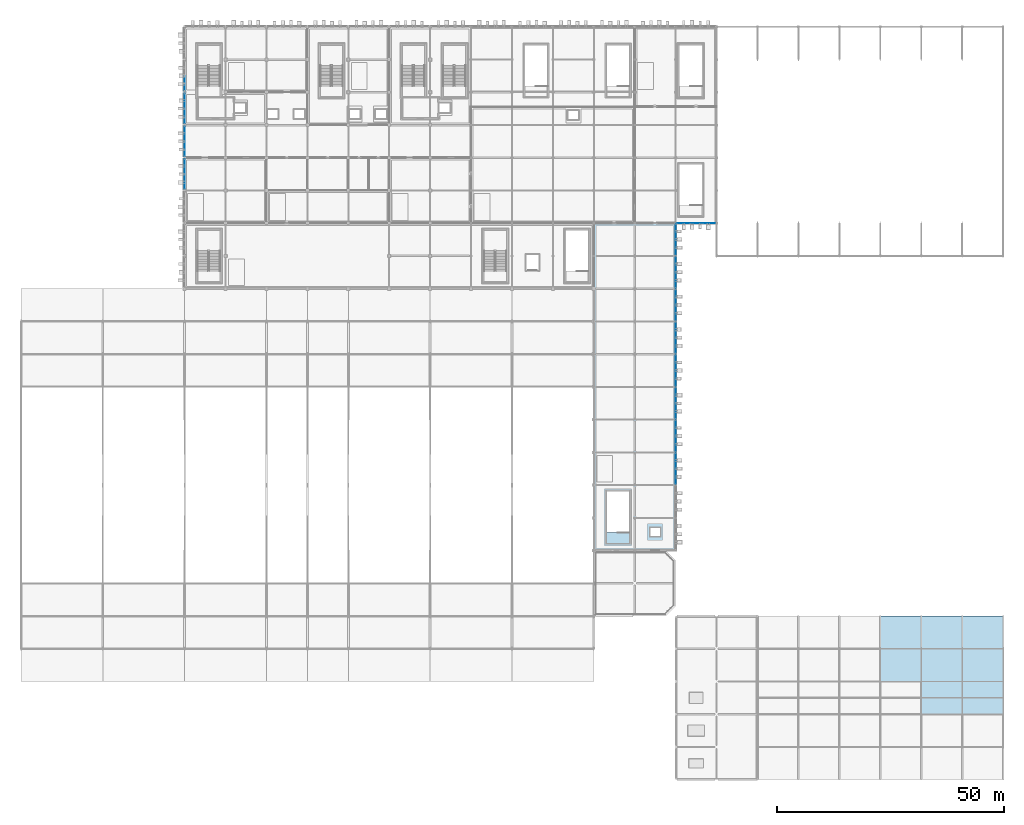
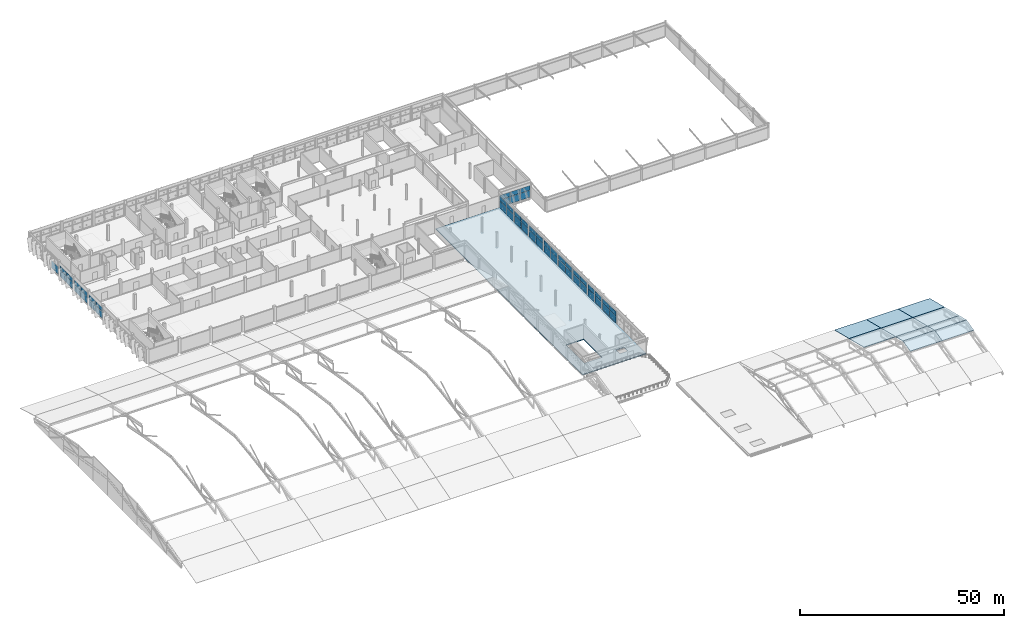
# One storey, part 77 of 124: 51 plates, 11 slabs, 13 elements without a shape of their own.
"""IFC4 building model written with IfcOpenShell, lengths in metres."""

import ifcopenshell
import ifcopenshell.guid

model = None  # the IFC model being written
_history = None  # IfcOwnerHistory: only IFC2X3 demands one
_inside = {}  # id of a spatial element -> (the spatial element, [elements in it])
_under = {}  # id of a project, library or spatial element -> (it, [spatial elements below it])
_declared = {}  # id of a project -> (the project, [libraries it declares])
_typed = {}  # id of a type object -> (the type object, [elements of that type])
_made_of = {}  # id of a material, layer set ... -> (it, [elements and type objects made of it])


def new_model(schema):
    """Start an empty IFC model of exactly this schema.

    Asked for "IFC4X3", IfcOpenShell would pick the latest addendum, in which some entities
    have other attributes; the version numbers below select the first issue.
    IFC2X3 requires an IfcOwnerHistory on every rooted entity: one is made here for all.
    """
    global model, _history
    if schema == "IFC4X3":
        model = ifcopenshell.file(schema_version=(4, 3, 0, 0))
    else:
        model = ifcopenshell.file(schema=schema)
    _inside.clear()
    _under.clear()
    _declared.clear()
    _typed.clear()
    _made_of.clear()
    _history = None
    if model.schema == "IFC2X3":
        org = make("IfcOrganization", Name="unknown")
        user = make(
            "IfcPersonAndOrganization",
            ThePerson=make("IfcPerson", FamilyName="unknown"),
            TheOrganization=org,
        )
        app = make(
            "IfcApplication",
            ApplicationDeveloper=org,
            Version="unknown",
            ApplicationFullName="unknown",
            ApplicationIdentifier="unknown",
        )
        _history = make(
            "IfcOwnerHistory",
            OwningUser=user,
            OwningApplication=app,
            ChangeAction="ADDED",
            CreationDate=0,
        )
    return model


def make(cls, **values):
    """One entity of the class cls with the attributes given. An attribute that is None is left unset."""
    return model.create_entity(
        cls, **{name: value for name, value in values.items() if value is not None}
    )


def rooted(cls, **values):
    """An entity with a GlobalId (a new one), such as an element, a storey or a relation."""
    return make(cls, GlobalId=ifcopenshell.guid.new(), OwnerHistory=_history, **values)


def si_unit(unit_type, name, prefix=None):
    """IfcSIUnit, for example si_unit("LENGTHUNIT", "METRE", prefix="MILLI")."""
    return make("IfcSIUnit", UnitType=unit_type, Prefix=prefix, Name=name)


def assignment(units):
    """IfcUnitAssignment: the units of a project."""
    return None if units is None else make("IfcUnitAssignment", Units=units)


def point(xyz):
    """IfcCartesianPoint."""
    return None if xyz is None else make("IfcCartesianPoint", Coordinates=xyz)


def direction(xyz):
    """IfcDirection."""
    return None if xyz is None else make("IfcDirection", DirectionRatios=xyz)


def frame(location, z_axis=None, x_axis=None):
    """IfcAxis2Placement3D, a coordinate frame: its origin and axes. An axis left out is left unset."""
    return make(
        "IfcAxis2Placement3D",
        Location=point(location),
        Axis=direction(z_axis),
        RefDirection=direction(x_axis),
    )


def frame_2d(location, x_axis=None):
    """IfcAxis2Placement2D, a coordinate frame in the plane: its origin and x axis."""
    return make(
        "IfcAxis2Placement2D", Location=point(location), RefDirection=direction(x_axis)
    )


def origin():
    """The frame at (0, 0, 0) with its axes left unset."""
    return frame((0.0, 0.0, 0.0))


def origin_2d():
    """The frame at (0, 0) in the plane with its x axis left unset."""
    return frame_2d((0.0, 0.0))


def place(relative_to, where):
    """IfcLocalPlacement: puts the frame where relative to a parent placement (None: the world)."""
    return make(
        "IfcLocalPlacement", PlacementRelTo=relative_to, RelativePlacement=where
    )


def context(
    kind, dimensions, precision=None, world=None, true_north=None, identifier=None
):
    """IfcGeometricRepresentationContext, for example the 3D "Model" context."""
    return make(
        "IfcGeometricRepresentationContext",
        ContextIdentifier=identifier,
        ContextType=kind,
        CoordinateSpaceDimension=dimensions,
        Precision=precision,
        WorldCoordinateSystem=world,
        TrueNorth=true_north,
    )


def subcontext(parent, identifier, kind, view, scale=None):
    """IfcGeometricRepresentationSubContext, for example "Body" below "Model"."""
    return make(
        "IfcGeometricRepresentationSubContext",
        ContextIdentifier=identifier,
        ContextType=kind,
        ParentContext=parent,
        TargetScale=scale,
        TargetView=view,
    )


def project(units=None, contexts=None):
    """IfcProject with its units and contexts."""
    return rooted(
        "IfcProject",
        Name="project",
        RepresentationContexts=contexts,
        UnitsInContext=assignment(units),
    )


def spatial(cls, under=None, at=None, **own):
    """A site, building, storey or space (cls), placed at a placement, below another one or the project."""
    s = rooted(cls, ObjectPlacement=at, **own)
    if under is not None:
        _under.setdefault(under.id(), (under, []))[1].append(s)
    return s


def polyline(points):
    """IfcPolyline through the points."""
    return make("IfcPolyline", Points=[point(p) for p in points])


def profile(cls, at=None, kind="AREA", **sizes):
    """A parametric profile (cls). Its sizes go by their IFC names, for example OverallWidth=200.0."""
    return make(cls, ProfileType=kind, Position=at, **sizes)


def rectangle(**sizes):
    """IfcRectangleProfileDef."""
    return profile("IfcRectangleProfileDef", **sizes)


def outline(outer, holes=None, kind="AREA"):
    """IfcArbitraryClosedProfileDef: a profile drawn as a closed curve; with holes, ...WithVoids."""
    if holes is None:
        return make("IfcArbitraryClosedProfileDef", ProfileType=kind, OuterCurve=outer)
    return make(
        "IfcArbitraryProfileDefWithVoids",
        ProfileType=kind,
        OuterCurve=outer,
        InnerCurves=holes,
    )


def extrude(swept, where, along, depth):
    """IfcExtrudedAreaSolid: the profile swept, set in the frame where, extruded along a direction by depth."""
    return make(
        "IfcExtrudedAreaSolid",
        SweptArea=swept,
        Position=where,
        ExtrudedDirection=direction(along),
        Depth=depth,
    )


def shape(context_of_items, identifier, shape_type, items):
    """IfcShapeRepresentation: the items that make up one representation, for example the "Body"."""
    return make(
        "IfcShapeRepresentation",
        ContextOfItems=context_of_items,
        RepresentationIdentifier=identifier,
        RepresentationType=shape_type,
        Items=items,
    )


def material(Name=None, Category=None):
    """IfcMaterial."""
    return make("IfcMaterial", Name=Name, Category=Category)


def layer(
    of_material, thickness, ventilated=None, Name=None, Category=None, Priority=None
):
    """IfcMaterialLayer: one layer of a wall or slab, of a material (None: an air gap)."""
    return make(
        "IfcMaterialLayer",
        Material=of_material,
        LayerThickness=thickness,
        IsVentilated=ventilated,
        Name=Name,
        Category=Category,
        Priority=Priority,
    )


def layer_set(layers, Name=None):
    """IfcMaterialLayerSet."""
    return make("IfcMaterialLayerSet", MaterialLayers=layers, LayerSetName=Name)


def made_of(thing, what):
    """Note that an element or type object is made of a material, layer set ...; save() writes the relation."""
    if what is not None:
        _made_of.setdefault(what.id(), (what, []))[1].append(thing)
    return thing


def type_object(cls, material=None, **own):
    """A type object (cls), such as IfcWallType, which elements share."""
    return made_of(rooted(cls, **own), material)


def element(
    cls,
    number,
    at=None,
    inside=None,
    cuts=None,
    type_object=None,
    material=None,
    context=None,
    identifier="Body",
    shape_type=None,
    held_by="IfcProductDefinitionShape",
    body=None,
    shapes=None,
    **own,
):
    """One element of the class cls, such as IfcWall. Its Tag is "e" and its number.

    at: its placement. inside: the storey or other place that contains it. cuts: it is an
    opening in that element (IfcRelVoidsElement). A single representation is given by context,
    identifier, shape_type and body (its items); several are given by shapes. held_by: the class
    of the entity that holds the representations. save() writes the other relations.
    """
    e = rooted(cls, Tag="e%d" % number, ObjectPlacement=at, **own)
    if body is not None:
        shapes = [shape(context, identifier, shape_type, body)]
    if shapes is not None:
        e.Representation = make(held_by, Representations=shapes)
    if inside is not None:
        _inside.setdefault(inside.id(), (inside, []))[1].append(e)
    if cuts is not None:
        rooted(
            "IfcRelVoidsElement", RelatingBuildingElement=cuts, RelatedOpeningElement=e
        )
    if type_object is not None:
        _typed.setdefault(type_object.id(), (type_object, []))[1].append(e)
    return made_of(e, material)


def aggregate(whole, parts):
    """IfcRelAggregates: a whole, such as a stair, and the parts it consists of."""
    return rooted("IfcRelAggregates", RelatingObject=whole, RelatedObjects=parts)


def save(model, path):
    """Write the relations noted so far, then the file.

    IfcRelAggregates (storeys below a building ...), IfcRelContainedInSpatialStructure (elements
    in a storey), IfcRelDefinesByType, IfcRelAssociatesMaterial and IfcRelDeclares: one each for
    every whole, place, type object, material and project.
    """
    for whole, parts in _under.values():
        aggregate(whole, parts)
    for where, things in _inside.values():
        rooted(
            "IfcRelContainedInSpatialStructure",
            RelatedElements=things,
            RelatingStructure=where,
        )
    for kind, things in _typed.values():
        rooted("IfcRelDefinesByType", RelatedObjects=things, RelatingType=kind)
    for what, things in _made_of.values():
        rooted("IfcRelAssociatesMaterial", RelatedObjects=things, RelatingMaterial=what)
    for by, libraries in _declared.values():
        rooted("IfcRelDeclares", RelatingContext=by, RelatedDefinitions=libraries)
    model.write(path)


model = new_model("IFC4")

# Units and contexts
model_context = context("Model", 3, precision=1e-05, world=origin(), true_north=direction((0.0, 1.0)))
body_context = subcontext(model_context, "Body", "Model", "MODEL_VIEW")
ifc_project = project(units=[si_unit("LENGTHUNIT", "METRE"), si_unit("AREAUNIT", "SQUARE_METRE"), si_unit("VOLUMEUNIT", "CUBIC_METRE"), si_unit("PLANEANGLEUNIT", "RADIAN"), si_unit("MASSUNIT", "GRAM", prefix="KILO")], contexts=[model_context])

# Site, building, storey
site_placement = place(None, origin())
site = spatial("IfcSite", under=ifc_project, at=site_placement, CompositionType="ELEMENT")
building_placement = place(site_placement, origin())
building = spatial("IfcBuilding", under=site, at=building_placement, Name="Celestram Park Convention Centre", CompositionType="ELEMENT")
storey_placement = place(building_placement, frame((0.0, 0.0, 15.300048828125)))
storey = spatial("IfcBuildingStorey", under=building, at=storey_placement, Name="L03", CompositionType="ELEMENT", Elevation=15.300048828125)

# Curtain wall, plates
ifc_material_1 = material(Name="Anodised Aluminium Alloy 6063-T6", Category="aluminium")
ifc_layer_1 = layer(ifc_material_1, 0.179931640625)
ifc_layer_set_1 = layer_set([ifc_layer_1], Name="Anodised Aluminium Alloy 6063-T6")
curtain_wall_type_1 = type_object("IfcCurtainWallType", Name="ARC-CW-660X334", PredefinedType="NOTDEFINED", material=ifc_layer_set_1)
curtain_wall_1_placement = place(storey_placement, origin())
curtain_wall_1 = element("IfcCurtainWall", 1, at=curtain_wall_1_placement, inside=storey, type_object=curtain_wall_type_1, Name="Unitised curtain wall CU-L03-198", PredefinedType="NOTDEFINED")
ifc_material_2 = material(Name="Insulated Glazing Unit 28 mm", Category="glass")
ifc_layer_2 = layer(ifc_material_2, 0.028076171875)
ifc_layer_set_2 = layer_set([ifc_layer_2], Name="Insulated Glazing Unit 28 mm")
plate_type_1 = type_object("IfcPlateType", Name="ARC-CWP-IGU28", PredefinedType="CURTAIN_PANEL", material=ifc_layer_set_2)
plate_1_placement = place(storey_placement, frame((36.0, 131.565185546875, 0.059814453125), z_axis=(0.0, 0.0, 1.0), x_axis=(0.0, 1.0, 0.0)))
plate_1 = element("IfcPlate", 2, at=plate_1_placement, type_object=plate_type_1, Name="CW-66X33 panel 1.1", PredefinedType="CURTAIN_PANEL", context=body_context, shape_type="SweptSolid", body=[
    extrude(rectangle(XDim=3.20458984375, YDim=0.028076171875, at=origin_2d()), origin(), (0.0, 0.0, 1.0), 1.912109375),
])
plate_2_placement = place(storey_placement, frame((36.0, 131.565185546875, 2.0322265625), z_axis=(0.0, 0.0, 1.0), x_axis=(0.0, 1.0, 0.0)))
plate_2 = element("IfcPlate", 3, at=plate_2_placement, type_object=plate_type_1, Name="CW-66X33 panel 1.2", PredefinedType="CURTAIN_PANEL", context=body_context, shape_type="SweptSolid", body=[
    extrude(rectangle(XDim=3.20458984375, YDim=0.028076171875, at=origin_2d()), origin(), (0.0, 0.0, 1.0), 1.243896484375),
])
plate_3_placement = place(storey_placement, frame((36.0, 134.834716796875, 0.059814453125), z_axis=(0.0, 0.0, 1.0), x_axis=(0.0, 1.0, 0.0)))
plate_3 = element("IfcPlate", 4, at=plate_3_placement, type_object=plate_type_1, Name="CW-66X33 panel 2.1", PredefinedType="CURTAIN_PANEL", context=body_context, shape_type="SweptSolid", body=[
    extrude(rectangle(XDim=3.20458984375, YDim=0.028076171875, at=origin_2d()), origin(), (0.0, 0.0, 1.0), 1.912109375),
])
plate_4_placement = place(storey_placement, frame((36.0, 134.834716796875, 2.0322265625), z_axis=(0.0, 0.0, 1.0), x_axis=(0.0, 1.0, 0.0)))
plate_4 = element("IfcPlate", 5, at=plate_4_placement, type_object=plate_type_1, Name="CW-66X33 panel 2.2", PredefinedType="CURTAIN_PANEL", context=body_context, shape_type="SweptSolid", body=[
    extrude(rectangle(XDim=3.20458984375, YDim=0.028076171875, at=origin_2d()), origin(), (0.0, 0.0, 1.0), 1.243896484375),
])
aggregate(curtain_wall_1, [plate_1, plate_2, plate_3, plate_4])

curtain_wall_2_placement = place(storey_placement, origin())
curtain_wall_2 = element("IfcCurtainWall", 6, at=curtain_wall_2_placement, inside=storey, type_object=curtain_wall_type_1, Name="Unitised curtain wall CU-L03-199", PredefinedType="NOTDEFINED")
plate_5_placement = place(storey_placement, frame((36.0, 138.76513671875, 0.059814453125), z_axis=(0.0, 0.0, 1.0), x_axis=(0.0, 1.0, 0.0)))
plate_5 = element("IfcPlate", 7, at=plate_5_placement, type_object=plate_type_1, Name="CW-66X33 panel 1.1", PredefinedType="CURTAIN_PANEL", context=body_context, shape_type="SweptSolid", body=[
    extrude(rectangle(XDim=3.20458984375, YDim=0.028076171875, at=origin_2d()), origin(), (0.0, 0.0, 1.0), 1.912109375),
])
plate_6_placement = place(storey_placement, frame((36.0, 138.76513671875, 2.0322265625), z_axis=(0.0, 0.0, 1.0), x_axis=(0.0, 1.0, 0.0)))
plate_6 = element("IfcPlate", 8, at=plate_6_placement, type_object=plate_type_1, Name="CW-66X33 panel 1.2", PredefinedType="CURTAIN_PANEL", context=body_context, shape_type="SweptSolid", body=[
    extrude(rectangle(XDim=3.20458984375, YDim=0.028076171875, at=origin_2d()), origin(), (0.0, 0.0, 1.0), 1.243896484375),
])
plate_7_placement = place(storey_placement, frame((36.0, 142.03466796875, 0.059814453125), z_axis=(0.0, 0.0, 1.0), x_axis=(0.0, 1.0, 0.0)))
plate_7 = element("IfcPlate", 9, at=plate_7_placement, type_object=plate_type_1, Name="CW-66X33 panel 2.1", PredefinedType="CURTAIN_PANEL", context=body_context, shape_type="SweptSolid", body=[
    extrude(rectangle(XDim=3.20458984375, YDim=0.028076171875, at=origin_2d()), origin(), (0.0, 0.0, 1.0), 1.912109375),
])
plate_8_placement = place(storey_placement, frame((36.0, 142.03466796875, 2.0322265625), z_axis=(0.0, 0.0, 1.0), x_axis=(0.0, 1.0, 0.0)))
plate_8 = element("IfcPlate", 10, at=plate_8_placement, type_object=plate_type_1, Name="CW-66X33 panel 2.2", PredefinedType="CURTAIN_PANEL", context=body_context, shape_type="SweptSolid", body=[
    extrude(rectangle(XDim=3.20458984375, YDim=0.028076171875, at=origin_2d()), origin(), (0.0, 0.0, 1.0), 1.243896484375),
])
aggregate(curtain_wall_2, [plate_5, plate_6, plate_7, plate_8])

curtain_wall_3_placement = place(storey_placement, origin())
curtain_wall_3 = element("IfcCurtainWall", 11, at=curtain_wall_3_placement, inside=storey, type_object=curtain_wall_type_1, Name="Unitised curtain wall CU-L03-200", PredefinedType="NOTDEFINED")
plate_9_placement = place(storey_placement, frame((36.0, 145.96533203125, 0.059814453125), z_axis=(0.0, 0.0, 1.0), x_axis=(0.0, 1.0, 0.0)))
plate_9 = element("IfcPlate", 12, at=plate_9_placement, type_object=plate_type_1, Name="CW-66X33 panel 1.1", PredefinedType="CURTAIN_PANEL", context=body_context, shape_type="SweptSolid", body=[
    extrude(rectangle(XDim=3.20458984375, YDim=0.028076171875, at=origin_2d()), origin(), (0.0, 0.0, 1.0), 1.912109375),
])
plate_10_placement = place(storey_placement, frame((36.0, 145.96533203125, 2.0322265625), z_axis=(0.0, 0.0, 1.0), x_axis=(0.0, 1.0, 0.0)))
plate_10 = element("IfcPlate", 13, at=plate_10_placement, type_object=plate_type_1, Name="CW-66X33 panel 1.2", PredefinedType="CURTAIN_PANEL", context=body_context, shape_type="SweptSolid", body=[
    extrude(rectangle(XDim=3.20458984375, YDim=0.028076171875, at=origin_2d()), origin(), (0.0, 0.0, 1.0), 1.243896484375),
])
plate_11_placement = place(storey_placement, frame((36.0, 149.23486328125, 0.059814453125), z_axis=(0.0, 0.0, 1.0), x_axis=(0.0, 1.0, 0.0)))
plate_11 = element("IfcPlate", 14, at=plate_11_placement, type_object=plate_type_1, Name="CW-66X33 panel 2.1", PredefinedType="CURTAIN_PANEL", context=body_context, shape_type="SweptSolid", body=[
    extrude(rectangle(XDim=3.20458984375, YDim=0.028076171875, at=origin_2d()), origin(), (0.0, 0.0, 1.0), 1.912109375),
])
plate_12_placement = place(storey_placement, frame((36.0, 149.23486328125, 2.0322265625), z_axis=(0.0, 0.0, 1.0), x_axis=(0.0, 1.0, 0.0)))
plate_12 = element("IfcPlate", 15, at=plate_12_placement, type_object=plate_type_1, Name="CW-66X33 panel 2.2", PredefinedType="CURTAIN_PANEL", context=body_context, shape_type="SweptSolid", body=[
    extrude(rectangle(XDim=3.20458984375, YDim=0.028076171875, at=origin_2d()), origin(), (0.0, 0.0, 1.0), 1.243896484375),
])
aggregate(curtain_wall_3, [plate_9, plate_10, plate_11, plate_12])

# Curtain wall, plate
ifc_layer_3 = layer(ifc_material_1, 0.179931640625)
ifc_layer_set_3 = layer_set([ifc_layer_3], Name="Anodised Aluminium Alloy 6063-T6")
curtain_wall_type_2 = type_object("IfcCurtainWallType", Name="ARC-CW-660X400", PredefinedType="NOTDEFINED", material=ifc_layer_set_3)
curtain_wall_4_placement = place(storey_placement, origin())
curtain_wall_4 = element("IfcCurtainWall", 16, at=curtain_wall_4_placement, inside=storey, type_object=curtain_wall_type_2, Name="Unitised curtain wall CU-L03-201", PredefinedType="NOTDEFINED")
plate_13_placement = place(storey_placement, frame((36.0, 153.165283203125, 0.059814453125), z_axis=(0.0, 0.0, 1.0), x_axis=(0.0, 1.0, 0.0)))
plate_13 = element("IfcPlate", 17, at=plate_13_placement, type_object=plate_type_1, Name="CW-66X40 panel 1.1", PredefinedType="CURTAIN_PANEL", context=body_context, shape_type="SweptSolid", body=[
    extrude(rectangle(XDim=3.20458984375, YDim=0.028076171875, at=origin_2d()), origin(), (0.0, 0.0, 1.0), 2.31005859375),
])
aggregate(curtain_wall_4, [plate_13])

# Curtain wall, plates
ifc_layer_4 = layer(ifc_material_1, 0.179931640625)
ifc_layer_set_4 = layer_set([ifc_layer_4], Name="Anodised Aluminium Alloy 6063-T6")
curtain_wall_type_3 = type_object("IfcCurtainWallType", Name="ARC-CW-685X365", PredefinedType="NOTDEFINED", material=ifc_layer_set_4)
curtain_wall_5_placement = place(storey_placement, origin())
curtain_wall_5 = element("IfcCurtainWall", 18, at=curtain_wall_5_placement, inside=storey, type_object=curtain_wall_type_3, Name="Unitised curtain wall CU-L03-217", PredefinedType="NOTDEFINED")
plate_14_placement = place(storey_placement, frame((144.0, 120.497314453125, 0.059814453125), z_axis=(0.0, 0.0, 1.0), x_axis=(0.0, -1.0, 0.0)))
plate_14 = element("IfcPlate", 19, at=plate_14_placement, type_object=plate_type_1, Name="CW-68X36 panel 1.1", PredefinedType="CURTAIN_PANEL", context=body_context, shape_type="SweptSolid", body=[
    extrude(rectangle(XDim=3.32958984375, YDim=0.028076171875, at=origin_2d()), origin(), (0.0, 0.0, 1.0), 2.09912109375),
])
plate_15_placement = place(storey_placement, frame((144.0, 120.497314453125, 2.21923828125), z_axis=(0.0, 0.0, 1.0), x_axis=(0.0, -1.0, 0.0)))
plate_15 = element("IfcPlate", 20, at=plate_15_placement, type_object=plate_type_1, Name="CW-68X36 panel 1.2", PredefinedType="CURTAIN_PANEL", context=body_context, shape_type="SweptSolid", body=[
    extrude(rectangle(XDim=3.32958984375, YDim=0.028076171875, at=origin_2d()), origin(), (0.0, 0.0, 1.0), 1.368896484375),
])
plate_16_placement = place(storey_placement, frame((144.0, 117.102783203125, 0.059814453125), z_axis=(0.0, 0.0, 1.0), x_axis=(0.0, -1.0, 0.0)))
plate_16 = element("IfcPlate", 21, at=plate_16_placement, type_object=plate_type_1, Name="CW-68X36 panel 2.1", PredefinedType="CURTAIN_PANEL", context=body_context, shape_type="SweptSolid", body=[
    extrude(rectangle(XDim=3.32958984375, YDim=0.028076171875, at=origin_2d()), origin(), (0.0, 0.0, 1.0), 2.09912109375),
])
plate_17_placement = place(storey_placement, frame((144.0, 117.102783203125, 2.21923828125), z_axis=(0.0, 0.0, 1.0), x_axis=(0.0, -1.0, 0.0)))
plate_17 = element("IfcPlate", 22, at=plate_17_placement, type_object=plate_type_1, Name="CW-68X36 panel 2.2", PredefinedType="CURTAIN_PANEL", context=body_context, shape_type="SweptSolid", body=[
    extrude(rectangle(XDim=3.32958984375, YDim=0.028076171875, at=origin_2d()), origin(), (0.0, 0.0, 1.0), 1.368896484375),
])
aggregate(curtain_wall_5, [plate_14, plate_15, plate_16, plate_17])

curtain_wall_6_placement = place(storey_placement, origin())
curtain_wall_6 = element("IfcCurtainWall", 23, at=curtain_wall_6_placement, inside=storey, type_object=curtain_wall_type_3, Name="Unitised curtain wall CU-L03-218", PredefinedType="NOTDEFINED")
plate_18_placement = place(storey_placement, frame((144.0, 113.29736328125, 0.059814453125), z_axis=(0.0, 0.0, 1.0), x_axis=(0.0, -1.0, 0.0)))
plate_18 = element("IfcPlate", 24, at=plate_18_placement, type_object=plate_type_1, Name="CW-68X36 panel 1.1", PredefinedType="CURTAIN_PANEL", context=body_context, shape_type="SweptSolid", body=[
    extrude(rectangle(XDim=3.32958984375, YDim=0.028076171875, at=origin_2d()), origin(), (0.0, 0.0, 1.0), 2.09912109375),
])
plate_19_placement = place(storey_placement, frame((144.0, 113.29736328125, 2.21923828125), z_axis=(0.0, 0.0, 1.0), x_axis=(0.0, -1.0, 0.0)))
plate_19 = element("IfcPlate", 25, at=plate_19_placement, type_object=plate_type_1, Name="CW-68X36 panel 1.2", PredefinedType="CURTAIN_PANEL", context=body_context, shape_type="SweptSolid", body=[
    extrude(rectangle(XDim=3.32958984375, YDim=0.028076171875, at=origin_2d()), origin(), (0.0, 0.0, 1.0), 1.368896484375),
])
plate_20_placement = place(storey_placement, frame((144.0, 109.90283203125, 0.059814453125), z_axis=(0.0, 0.0, 1.0), x_axis=(0.0, -1.0, 0.0)))
plate_20 = element("IfcPlate", 26, at=plate_20_placement, type_object=plate_type_1, Name="CW-68X36 panel 2.1", PredefinedType="CURTAIN_PANEL", context=body_context, shape_type="SweptSolid", body=[
    extrude(rectangle(XDim=3.32958984375, YDim=0.028076171875, at=origin_2d()), origin(), (0.0, 0.0, 1.0), 2.09912109375),
])
plate_21_placement = place(storey_placement, frame((144.0, 109.90283203125, 2.21923828125), z_axis=(0.0, 0.0, 1.0), x_axis=(0.0, -1.0, 0.0)))
plate_21 = element("IfcPlate", 27, at=plate_21_placement, type_object=plate_type_1, Name="CW-68X36 panel 2.2", PredefinedType="CURTAIN_PANEL", context=body_context, shape_type="SweptSolid", body=[
    extrude(rectangle(XDim=3.32958984375, YDim=0.028076171875, at=origin_2d()), origin(), (0.0, 0.0, 1.0), 1.368896484375),
])
aggregate(curtain_wall_6, [plate_18, plate_19, plate_20, plate_21])

curtain_wall_7_placement = place(storey_placement, origin())
curtain_wall_7 = element("IfcCurtainWall", 28, at=curtain_wall_7_placement, inside=storey, type_object=curtain_wall_type_3, Name="Unitised curtain wall CU-L03-219", PredefinedType="NOTDEFINED")
plate_22_placement = place(storey_placement, frame((144.0, 106.09716796875, 0.059814453125), z_axis=(0.0, 0.0, 1.0), x_axis=(0.0, -1.0, 0.0)))
plate_22 = element("IfcPlate", 29, at=plate_22_placement, type_object=plate_type_1, Name="CW-68X36 panel 1.1", PredefinedType="CURTAIN_PANEL", context=body_context, shape_type="SweptSolid", body=[
    extrude(rectangle(XDim=3.32958984375, YDim=0.028076171875, at=origin_2d()), origin(), (0.0, 0.0, 1.0), 2.09912109375),
])
plate_23_placement = place(storey_placement, frame((144.0, 106.09716796875, 2.21923828125), z_axis=(0.0, 0.0, 1.0), x_axis=(0.0, -1.0, 0.0)))
plate_23 = element("IfcPlate", 30, at=plate_23_placement, type_object=plate_type_1, Name="CW-68X36 panel 1.2", PredefinedType="CURTAIN_PANEL", context=body_context, shape_type="SweptSolid", body=[
    extrude(rectangle(XDim=3.32958984375, YDim=0.028076171875, at=origin_2d()), origin(), (0.0, 0.0, 1.0), 1.368896484375),
])
plate_24_placement = place(storey_placement, frame((144.0, 102.70263671875, 0.059814453125), z_axis=(0.0, 0.0, 1.0), x_axis=(0.0, -1.0, 0.0)))
plate_24 = element("IfcPlate", 31, at=plate_24_placement, type_object=plate_type_1, Name="CW-68X36 panel 2.1", PredefinedType="CURTAIN_PANEL", context=body_context, shape_type="SweptSolid", body=[
    extrude(rectangle(XDim=3.32958984375, YDim=0.028076171875, at=origin_2d()), origin(), (0.0, 0.0, 1.0), 2.09912109375),
])
plate_25_placement = place(storey_placement, frame((144.0, 102.70263671875, 2.21923828125), z_axis=(0.0, 0.0, 1.0), x_axis=(0.0, -1.0, 0.0)))
plate_25 = element("IfcPlate", 32, at=plate_25_placement, type_object=plate_type_1, Name="CW-68X36 panel 2.2", PredefinedType="CURTAIN_PANEL", context=body_context, shape_type="SweptSolid", body=[
    extrude(rectangle(XDim=3.32958984375, YDim=0.028076171875, at=origin_2d()), origin(), (0.0, 0.0, 1.0), 1.368896484375),
])
aggregate(curtain_wall_7, [plate_22, plate_23, plate_24, plate_25])

curtain_wall_8_placement = place(storey_placement, origin())
curtain_wall_8 = element("IfcCurtainWall", 33, at=curtain_wall_8_placement, inside=storey, type_object=curtain_wall_type_3, Name="Unitised curtain wall CU-L03-220", PredefinedType="NOTDEFINED")
plate_26_placement = place(storey_placement, frame((144.0, 98.897216796875, 0.059814453125), z_axis=(0.0, 0.0, 1.0), x_axis=(0.0, -1.0, 0.0)))
plate_26 = element("IfcPlate", 34, at=plate_26_placement, type_object=plate_type_1, Name="CW-68X36 panel 1.1", PredefinedType="CURTAIN_PANEL", context=body_context, shape_type="SweptSolid", body=[
    extrude(rectangle(XDim=3.32958984375, YDim=0.028076171875, at=origin_2d()), origin(), (0.0, 0.0, 1.0), 2.09912109375),
])
plate_27_placement = place(storey_placement, frame((144.0, 98.897216796875, 2.21923828125), z_axis=(0.0, 0.0, 1.0), x_axis=(0.0, -1.0, 0.0)))
plate_27 = element("IfcPlate", 35, at=plate_27_placement, type_object=plate_type_1, Name="CW-68X36 panel 1.2", PredefinedType="CURTAIN_PANEL", context=body_context, shape_type="SweptSolid", body=[
    extrude(rectangle(XDim=3.32958984375, YDim=0.028076171875, at=origin_2d()), origin(), (0.0, 0.0, 1.0), 1.368896484375),
])
plate_28_placement = place(storey_placement, frame((144.0, 95.502685546875, 0.059814453125), z_axis=(0.0, 0.0, 1.0), x_axis=(0.0, -1.0, 0.0)))
plate_28 = element("IfcPlate", 36, at=plate_28_placement, type_object=plate_type_1, Name="CW-68X36 panel 2.1", PredefinedType="CURTAIN_PANEL", context=body_context, shape_type="SweptSolid", body=[
    extrude(rectangle(XDim=3.32958984375, YDim=0.028076171875, at=origin_2d()), origin(), (0.0, 0.0, 1.0), 2.09912109375),
])
plate_29_placement = place(storey_placement, frame((144.0, 95.502685546875, 2.21923828125), z_axis=(0.0, 0.0, 1.0), x_axis=(0.0, -1.0, 0.0)))
plate_29 = element("IfcPlate", 37, at=plate_29_placement, type_object=plate_type_1, Name="CW-68X36 panel 2.2", PredefinedType="CURTAIN_PANEL", context=body_context, shape_type="SweptSolid", body=[
    extrude(rectangle(XDim=3.32958984375, YDim=0.028076171875, at=origin_2d()), origin(), (0.0, 0.0, 1.0), 1.368896484375),
])
aggregate(curtain_wall_8, [plate_26, plate_27, plate_28, plate_29])

curtain_wall_9_placement = place(storey_placement, origin())
curtain_wall_9 = element("IfcCurtainWall", 38, at=curtain_wall_9_placement, inside=storey, type_object=curtain_wall_type_3, Name="Unitised curtain wall CU-L03-221", PredefinedType="NOTDEFINED")
plate_30_placement = place(storey_placement, frame((144.0, 91.697265625, 0.059814453125), z_axis=(0.0, 0.0, 1.0), x_axis=(0.0, -1.0, 0.0)))
plate_30 = element("IfcPlate", 39, at=plate_30_placement, type_object=plate_type_1, Name="CW-68X36 panel 1.1", PredefinedType="CURTAIN_PANEL", context=body_context, shape_type="SweptSolid", body=[
    extrude(rectangle(XDim=3.32958984375, YDim=0.028076171875, at=origin_2d()), origin(), (0.0, 0.0, 1.0), 2.09912109375),
])
plate_31_placement = place(storey_placement, frame((144.0, 91.697265625, 2.21923828125), z_axis=(0.0, 0.0, 1.0), x_axis=(0.0, -1.0, 0.0)))
plate_31 = element("IfcPlate", 40, at=plate_31_placement, type_object=plate_type_1, Name="CW-68X36 panel 1.2", PredefinedType="CURTAIN_PANEL", context=body_context, shape_type="SweptSolid", body=[
    extrude(rectangle(XDim=3.32958984375, YDim=0.028076171875, at=origin_2d()), origin(), (0.0, 0.0, 1.0), 1.368896484375),
])
plate_32_placement = place(storey_placement, frame((144.0, 88.302734375, 0.059814453125), z_axis=(0.0, 0.0, 1.0), x_axis=(0.0, -1.0, 0.0)))
plate_32 = element("IfcPlate", 41, at=plate_32_placement, type_object=plate_type_1, Name="CW-68X36 panel 2.1", PredefinedType="CURTAIN_PANEL", context=body_context, shape_type="SweptSolid", body=[
    extrude(rectangle(XDim=3.32958984375, YDim=0.028076171875, at=origin_2d()), origin(), (0.0, 0.0, 1.0), 2.09912109375),
])
plate_33_placement = place(storey_placement, frame((144.0, 88.302734375, 2.21923828125), z_axis=(0.0, 0.0, 1.0), x_axis=(0.0, -1.0, 0.0)))
plate_33 = element("IfcPlate", 42, at=plate_33_placement, type_object=plate_type_1, Name="CW-68X36 panel 2.2", PredefinedType="CURTAIN_PANEL", context=body_context, shape_type="SweptSolid", body=[
    extrude(rectangle(XDim=3.32958984375, YDim=0.028076171875, at=origin_2d()), origin(), (0.0, 0.0, 1.0), 1.368896484375),
])
aggregate(curtain_wall_9, [plate_30, plate_31, plate_32, plate_33])

curtain_wall_10_placement = place(storey_placement, origin())
curtain_wall_10 = element("IfcCurtainWall", 43, at=curtain_wall_10_placement, inside=storey, type_object=curtain_wall_type_3, Name="Unitised curtain wall CU-L03-222", PredefinedType="NOTDEFINED")
plate_34_placement = place(storey_placement, frame((144.0, 84.497314453125, 0.059814453125), z_axis=(0.0, 0.0, 1.0), x_axis=(0.0, -1.0, 0.0)))
plate_34 = element("IfcPlate", 44, at=plate_34_placement, type_object=plate_type_1, Name="CW-68X36 panel 1.1", PredefinedType="CURTAIN_PANEL", context=body_context, shape_type="SweptSolid", body=[
    extrude(rectangle(XDim=3.32958984375, YDim=0.028076171875, at=origin_2d()), origin(), (0.0, 0.0, 1.0), 2.09912109375),
])
plate_35_placement = place(storey_placement, frame((144.0, 84.497314453125, 2.21923828125), z_axis=(0.0, 0.0, 1.0), x_axis=(0.0, -1.0, 0.0)))
plate_35 = element("IfcPlate", 45, at=plate_35_placement, type_object=plate_type_1, Name="CW-68X36 panel 1.2", PredefinedType="CURTAIN_PANEL", context=body_context, shape_type="SweptSolid", body=[
    extrude(rectangle(XDim=3.32958984375, YDim=0.028076171875, at=origin_2d()), origin(), (0.0, 0.0, 1.0), 1.368896484375),
])
plate_36_placement = place(storey_placement, frame((144.0, 81.102783203125, 0.059814453125), z_axis=(0.0, 0.0, 1.0), x_axis=(0.0, -1.0, 0.0)))
plate_36 = element("IfcPlate", 46, at=plate_36_placement, type_object=plate_type_1, Name="CW-68X36 panel 2.1", PredefinedType="CURTAIN_PANEL", context=body_context, shape_type="SweptSolid", body=[
    extrude(rectangle(XDim=3.32958984375, YDim=0.028076171875, at=origin_2d()), origin(), (0.0, 0.0, 1.0), 2.09912109375),
])
plate_37_placement = place(storey_placement, frame((144.0, 81.102783203125, 2.21923828125), z_axis=(0.0, 0.0, 1.0), x_axis=(0.0, -1.0, 0.0)))
plate_37 = element("IfcPlate", 47, at=plate_37_placement, type_object=plate_type_1, Name="CW-68X36 panel 2.2", PredefinedType="CURTAIN_PANEL", context=body_context, shape_type="SweptSolid", body=[
    extrude(rectangle(XDim=3.32958984375, YDim=0.028076171875, at=origin_2d()), origin(), (0.0, 0.0, 1.0), 1.368896484375),
])
aggregate(curtain_wall_10, [plate_34, plate_35, plate_36, plate_37])

curtain_wall_11_placement = place(storey_placement, origin())
curtain_wall_11 = element("IfcCurtainWall", 48, at=curtain_wall_11_placement, inside=storey, type_object=curtain_wall_type_3, Name="Unitised curtain wall CU-L03-223", PredefinedType="NOTDEFINED")
plate_38_placement = place(storey_placement, frame((144.0, 77.29736328125, 0.059814453125), z_axis=(0.0, 0.0, 1.0), x_axis=(0.0, -1.0, 0.0)))
plate_38 = element("IfcPlate", 49, at=plate_38_placement, type_object=plate_type_1, Name="CW-68X36 panel 1.1", PredefinedType="CURTAIN_PANEL", context=body_context, shape_type="SweptSolid", body=[
    extrude(rectangle(XDim=3.32958984375, YDim=0.028076171875, at=origin_2d()), origin(), (0.0, 0.0, 1.0), 2.09912109375),
])
plate_39_placement = place(storey_placement, frame((144.0, 77.29736328125, 2.21923828125), z_axis=(0.0, 0.0, 1.0), x_axis=(0.0, -1.0, 0.0)))
plate_39 = element("IfcPlate", 50, at=plate_39_placement, type_object=plate_type_1, Name="CW-68X36 panel 1.2", PredefinedType="CURTAIN_PANEL", context=body_context, shape_type="SweptSolid", body=[
    extrude(rectangle(XDim=3.32958984375, YDim=0.028076171875, at=origin_2d()), origin(), (0.0, 0.0, 1.0), 1.368896484375),
])
plate_40_placement = place(storey_placement, frame((144.0, 73.90283203125, 0.059814453125), z_axis=(0.0, 0.0, 1.0), x_axis=(0.0, -1.0, 0.0)))
plate_40 = element("IfcPlate", 51, at=plate_40_placement, type_object=plate_type_1, Name="CW-68X36 panel 2.1", PredefinedType="CURTAIN_PANEL", context=body_context, shape_type="SweptSolid", body=[
    extrude(rectangle(XDim=3.32958984375, YDim=0.028076171875, at=origin_2d()), origin(), (0.0, 0.0, 1.0), 2.09912109375),
])
plate_41_placement = place(storey_placement, frame((144.0, 73.90283203125, 2.21923828125), z_axis=(0.0, 0.0, 1.0), x_axis=(0.0, -1.0, 0.0)))
plate_41 = element("IfcPlate", 52, at=plate_41_placement, type_object=plate_type_1, Name="CW-68X36 panel 2.2", PredefinedType="CURTAIN_PANEL", context=body_context, shape_type="SweptSolid", body=[
    extrude(rectangle(XDim=3.32958984375, YDim=0.028076171875, at=origin_2d()), origin(), (0.0, 0.0, 1.0), 1.368896484375),
])
aggregate(curtain_wall_11, [plate_38, plate_39, plate_40, plate_41])

curtain_wall_12_placement = place(storey_placement, origin())
curtain_wall_12 = element("IfcCurtainWall", 53, at=curtain_wall_12_placement, inside=storey, type_object=curtain_wall_type_3, Name="Unitised curtain wall CU-L03-224", PredefinedType="NOTDEFINED")
plate_42_placement = place(storey_placement, frame((144.0, 70.09716796875, 0.059814453125), z_axis=(0.0, 0.0, 1.0), x_axis=(0.0, -1.0, 0.0)))
plate_42 = element("IfcPlate", 54, at=plate_42_placement, type_object=plate_type_1, Name="CW-68X36 panel 1.1", PredefinedType="CURTAIN_PANEL", context=body_context, shape_type="SweptSolid", body=[
    extrude(rectangle(XDim=3.32958984375, YDim=0.028076171875, at=origin_2d()), origin(), (0.0, 0.0, 1.0), 2.09912109375),
])
plate_43_placement = place(storey_placement, frame((144.0, 70.09716796875, 2.21923828125), z_axis=(0.0, 0.0, 1.0), x_axis=(0.0, -1.0, 0.0)))
plate_43 = element("IfcPlate", 55, at=plate_43_placement, type_object=plate_type_1, Name="CW-68X36 panel 1.2", PredefinedType="CURTAIN_PANEL", context=body_context, shape_type="SweptSolid", body=[
    extrude(rectangle(XDim=3.32958984375, YDim=0.028076171875, at=origin_2d()), origin(), (0.0, 0.0, 1.0), 1.368896484375),
])
plate_44_placement = place(storey_placement, frame((144.0, 66.70263671875, 0.059814453125), z_axis=(0.0, 0.0, 1.0), x_axis=(0.0, -1.0, 0.0)))
plate_44 = element("IfcPlate", 56, at=plate_44_placement, type_object=plate_type_1, Name="CW-68X36 panel 2.1", PredefinedType="CURTAIN_PANEL", context=body_context, shape_type="SweptSolid", body=[
    extrude(rectangle(XDim=3.32958984375, YDim=0.028076171875, at=origin_2d()), origin(), (0.0, 0.0, 1.0), 2.09912109375),
])
plate_45_placement = place(storey_placement, frame((144.0, 66.70263671875, 2.21923828125), z_axis=(0.0, 0.0, 1.0), x_axis=(0.0, -1.0, 0.0)))
plate_45 = element("IfcPlate", 57, at=plate_45_placement, type_object=plate_type_1, Name="CW-68X36 panel 2.2", PredefinedType="CURTAIN_PANEL", context=body_context, shape_type="SweptSolid", body=[
    extrude(rectangle(XDim=3.32958984375, YDim=0.028076171875, at=origin_2d()), origin(), (0.0, 0.0, 1.0), 1.368896484375),
])
aggregate(curtain_wall_12, [plate_42, plate_43, plate_44, plate_45])

ifc_layer_5 = layer(ifc_material_1, 0.179931640625)
ifc_layer_set_5 = layer_set([ifc_layer_5], Name="Anodised Aluminium Alloy 6063-T6")
curtain_wall_type_4 = type_object("IfcCurtainWallType", Name="ARC-CW-863X365", PredefinedType="NOTDEFINED", material=ifc_layer_set_5)
curtain_wall_13_placement = place(storey_placement, origin())
curtain_wall_13 = element("IfcCurtainWall", 58, at=curtain_wall_13_placement, inside=storey, type_object=curtain_wall_type_4, Name="Unitised curtain wall CU-L03-216", PredefinedType="NOTDEFINED")
ifc_material_3 = material(Name="Insulated Glazing Unit 38 mm", Category="glass")
ifc_layer_6 = layer(ifc_material_3, 0.0380859375)
ifc_layer_set_6 = layer_set([ifc_layer_6], Name="Insulated Glazing Unit 38 mm")
plate_type_2 = type_object("IfcPlateType", Name="ARC-CWP-IGU38", PredefinedType="CURTAIN_PANEL", material=ifc_layer_set_6)
plate_46_placement = place(storey_placement, frame((151.344970703125, 122.39990234375, 0.06494140625), z_axis=(0.0, 0.0, 1.0), x_axis=(-1.0, 0.0, 0.0)))
plate_46 = element("IfcPlate", 59, at=plate_46_placement, type_object=plate_type_2, Name="CW-86X36 panel 1.1", PredefinedType="CURTAIN_PANEL", context=body_context, shape_type="SweptSolid", body=[
    extrude(rectangle(XDim=2.763916015625, YDim=0.0380859375, at=origin_2d()), origin(), (0.0, 0.0, 1.0), 2.091552734375),
])
plate_47_placement = place(storey_placement, frame((151.344970703125, 122.39990234375, 2.22119140625), z_axis=(0.0, 0.0, 1.0), x_axis=(-1.0, 0.0, 0.0)))
plate_47 = element("IfcPlate", 60, at=plate_47_placement, type_object=plate_type_2, Name="CW-86X36 panel 1.2", PredefinedType="CURTAIN_PANEL", context=body_context, shape_type="SweptSolid", body=[
    extrude(rectangle(XDim=2.763916015625, YDim=0.0380859375, at=origin_2d()), origin(), (0.0, 0.0, 1.0), 1.361572265625),
])
plate_48_placement = place(storey_placement, frame((148.487548828125, 122.39990234375, 0.06494140625), z_axis=(0.0, 0.0, 1.0), x_axis=(-1.0, 0.0, 0.0)))
plate_48 = element("IfcPlate", 61, at=plate_48_placement, type_object=plate_type_2, Name="CW-86X36 panel 2.1", PredefinedType="CURTAIN_PANEL", context=body_context, shape_type="SweptSolid", body=[
    extrude(rectangle(XDim=2.80126953125, YDim=0.0380859375, at=origin_2d()), origin(), (0.0, 0.0, 1.0), 2.091552734375),
])
plate_49_placement = place(storey_placement, frame((148.487548828125, 122.39990234375, 2.22119140625), z_axis=(0.0, 0.0, 1.0), x_axis=(-1.0, 0.0, 0.0)))
plate_49 = element("IfcPlate", 62, at=plate_49_placement, type_object=plate_type_2, Name="CW-86X36 panel 2.2", PredefinedType="CURTAIN_PANEL", context=body_context, shape_type="SweptSolid", body=[
    extrude(rectangle(XDim=2.80126953125, YDim=0.0380859375, at=origin_2d()), origin(), (0.0, 0.0, 1.0), 1.361572265625),
])
plate_50_placement = place(storey_placement, frame((145.6298828125, 122.39990234375, 0.06494140625), z_axis=(0.0, 0.0, 1.0), x_axis=(-1.0, 0.0, 0.0)))
plate_50 = element("IfcPlate", 63, at=plate_50_placement, type_object=plate_type_2, Name="CW-86X36 panel 3.1", PredefinedType="CURTAIN_PANEL", context=body_context, shape_type="SweptSolid", body=[
    extrude(rectangle(XDim=2.763916015625, YDim=0.0380859375, at=origin_2d()), origin(), (0.0, 0.0, 1.0), 2.091552734375),
])
plate_51_placement = place(storey_placement, frame((145.6298828125, 122.39990234375, 2.22119140625), z_axis=(0.0, 0.0, 1.0), x_axis=(-1.0, 0.0, 0.0)))
plate_51 = element("IfcPlate", 64, at=plate_51_placement, type_object=plate_type_2, Name="CW-86X36 panel 3.2", PredefinedType="CURTAIN_PANEL", context=body_context, shape_type="SweptSolid", body=[
    extrude(rectangle(XDim=2.763916015625, YDim=0.0380859375, at=origin_2d()), origin(), (0.0, 0.0, 1.0), 1.361572265625),
])
aggregate(curtain_wall_13, [plate_46, plate_47, plate_48, plate_49, plate_50, plate_51])

# Slabs
ifc_material_4 = material(Name="Concrete C35/45", Category="concrete")
ifc_layer_7 = layer(ifc_material_4, 0.159912109375)
ifc_layer_set_7 = layer_set([ifc_layer_7], Name="Concrete C35/45")
slab_type_1 = type_object("IfcSlabType", Name="STR-SLB-ARCH160", PredefinedType="ROOF", material=ifc_layer_set_7)
slab_1_placement = place(storey_placement, frame((189.0, 21.60009765625, 3.599853515625), z_axis=(0.0, 0.242512403965, 0.970148305118), x_axis=(1.0, 0.0, 0.0)))
element("IfcSlab", 65, at=slab_1_placement, inside=storey, type_object=slab_type_1, Name="V3 arched roof deck facet 4.5", PredefinedType="ROOF", context=body_context, shape_type="SweptSolid", body=[
    extrude(outline(polyline([(0.0, 0.0), (9.0, 0.0), (9.0, 7.421495387759206), (0.0, 7.421495387759206), (0.0, 0.0)])), origin(), (0.0, 0.0, -1.0), 0.159912109375),
])
slab_2_placement = place(storey_placement, frame((189.0, 28.800048828125, 1.800048828125), z_axis=(0.0, 0.242543365301, 0.970140565046), x_axis=(1.0, 0.0, 0.0)))
element("IfcSlab", 66, at=slab_2_placement, inside=storey, type_object=slab_type_1, Name="V3 arched roof deck facet 4.6", PredefinedType="ROOF", context=body_context, shape_type="SweptSolid", body=[
    extrude(outline(polyline([(0.0, 0.0), (9.0, 0.0), (9.0, 7.421554598668555), (0.0, 7.421554598668555), (0.0, 0.0)])), origin(), (0.0, 0.0, -1.0), 0.159912109375),
])
for number, where, z_axis, x_axis, name in (
    (67, (198.0, 14.39990234375, 3.599853515625), (0.0, -0.242566626814, 0.970134749175), (1.0, 0.0, 0.0), "V3 arched roof deck facet 5.3"),
    (68, (198.0, 18.0048828125, 4.498779296875), (0.0, 0.242566626814, 0.970134749175), (1.0, 0.0, 0.0), "V3 arched roof deck facet 5.4"),
):
    element("IfcSlab", number, at=place(storey_placement, frame(where, z_axis=z_axis, x_axis=x_axis)), inside=storey, type_object=slab_type_1, Name=name, PredefinedType="ROOF", context=body_context, shape_type="SweptSolid", body=[
        extrude(outline(polyline([(0.0, 0.0), (9.0, 0.0), (9.0, 3.7058922451841823), (0.0, 3.7058922451841823), (0.0, 0.0)])), origin(), (0.0, 0.0, -1.0), 0.159912109375),
    ])
slab_3_placement = place(storey_placement, frame((198.0, 21.60009765625, 3.599853515625), z_axis=(0.0, 0.242512403965, 0.970148305118), x_axis=(1.0, 0.0, 0.0)))
element("IfcSlab", 69, at=slab_3_placement, inside=storey, type_object=slab_type_1, Name="V3 arched roof deck facet 5.5", PredefinedType="ROOF", context=body_context, shape_type="SweptSolid", body=[
    extrude(outline(polyline([(0.0, 0.0), (9.0, 0.0), (9.0, 7.421495387759206), (0.0, 7.421495387759206), (0.0, 0.0)])), origin(), (0.0, 0.0, -1.0), 0.159912109375),
])
slab_4_placement = place(storey_placement, frame((198.0, 28.800048828125, 1.800048828125), z_axis=(0.0, 0.242543365301, 0.970140565046), x_axis=(1.0, 0.0, 0.0)))
element("IfcSlab", 70, at=slab_4_placement, inside=storey, type_object=slab_type_1, Name="V3 arched roof deck facet 5.6", PredefinedType="ROOF", context=body_context, shape_type="SweptSolid", body=[
    extrude(outline(polyline([(0.0, 0.0), (9.0, 0.0), (9.0, 7.421554598668555), (0.0, 7.421554598668555), (0.0, 0.0)])), origin(), (0.0, 0.0, -1.0), 0.159912109375),
])
for number, where, z_axis, x_axis, name in (
    (71, (207.0, 14.39990234375, 3.599853515625), (0.0, -0.242566626814, 0.970134749175), (1.0, 0.0, 0.0), "V3 arched roof deck facet 6.3"),
    (72, (207.0, 18.0048828125, 4.498779296875), (0.0, 0.242566626814, 0.970134749175), (1.0, 0.0, 0.0), "V3 arched roof deck facet 6.4"),
):
    element("IfcSlab", number, at=place(storey_placement, frame(where, z_axis=z_axis, x_axis=x_axis)), inside=storey, type_object=slab_type_1, Name=name, PredefinedType="ROOF", context=body_context, shape_type="SweptSolid", body=[
        extrude(outline(polyline([(0.0, 0.0), (9.0, 0.0), (9.0, 3.7058922451841823), (0.0, 3.7058922451841823), (0.0, 0.0)])), origin(), (0.0, 0.0, -1.0), 0.159912109375),
    ])
slab_5_placement = place(storey_placement, frame((207.0, 21.60009765625, 3.599853515625), z_axis=(0.0, 0.242512403965, 0.970148305118), x_axis=(1.0, 0.0, 0.0)))
element("IfcSlab", 73, at=slab_5_placement, inside=storey, type_object=slab_type_1, Name="V3 arched roof deck facet 6.5", PredefinedType="ROOF", context=body_context, shape_type="SweptSolid", body=[
    extrude(outline(polyline([(0.0, 0.0), (9.0, 0.0), (9.0, 7.421495387759206), (0.0, 7.421495387759206), (0.0, 0.0)])), origin(), (0.0, 0.0, -1.0), 0.159912109375),
])
slab_6_placement = place(storey_placement, frame((207.0, 28.800048828125, 1.800048828125), z_axis=(0.0, 0.242543365301, 0.970140565046), x_axis=(1.0, 0.0, 0.0)))
element("IfcSlab", 74, at=slab_6_placement, inside=storey, type_object=slab_type_1, Name="V3 arched roof deck facet 6.6", PredefinedType="ROOF", context=body_context, shape_type="SweptSolid", body=[
    extrude(outline(polyline([(0.0, 0.0), (9.0, 0.0), (9.0, 7.421554598668555), (0.0, 7.421554598668555), (0.0, 0.0)])), origin(), (0.0, 0.0, -1.0), 0.159912109375),
])
ifc_layer_8 = layer(ifc_material_4, 0.25)
ifc_layer_set_8 = layer_set([ifc_layer_8], Name="Concrete C35/45")
slab_type_2 = type_object("IfcSlabType", Name="STR-SLB-FLR250", PredefinedType="FLOOR", material=ifc_layer_set_8)
slab_7_placement = place(storey_placement, frame((0.0, 0.0, -0.25)))
element("IfcSlab", 75, at=slab_7_placement, inside=storey, type_object=slab_type_2, Name="Floor slab L03-SPN", PredefinedType="FLOOR", context=body_context, shape_type="SweptSolid", body=[
    extrude(outline(polyline([(126.0, 50.39990234375), (126.0, 122.39990234375), (144.0, 122.39990234375), (144.0, 50.39990234375), (126.0, 50.39990234375)]), holes=[polyline([(140.64990234375, 53.550048828125), (140.64990234375, 55.449951171875), (138.35009765625, 55.449951171875), (138.35009765625, 53.550048828125), (140.64990234375, 53.550048828125)]), polyline([(133.800048828125, 63.39990234375), (128.840087890625, 63.39990234375), (128.840087890625, 54.406005859375), (133.800048828125, 54.406005859375), (133.800048828125, 63.39990234375)])]), origin(), (0.0, 0.0, 1.0), 0.25),
])

save(model, "model.ifc")
